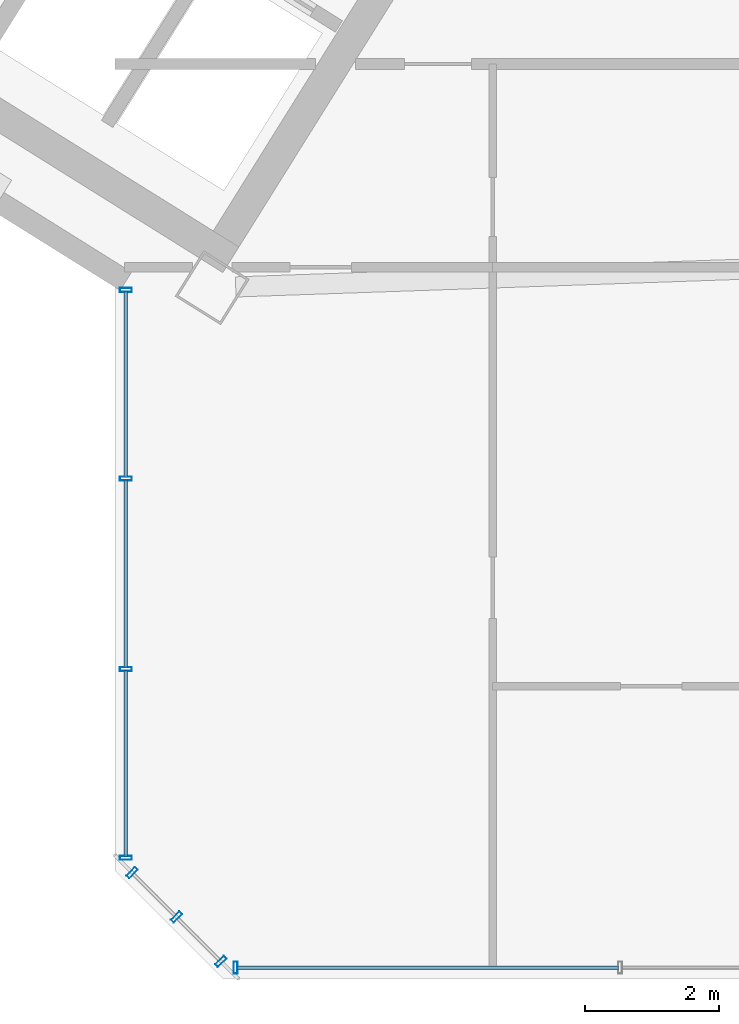
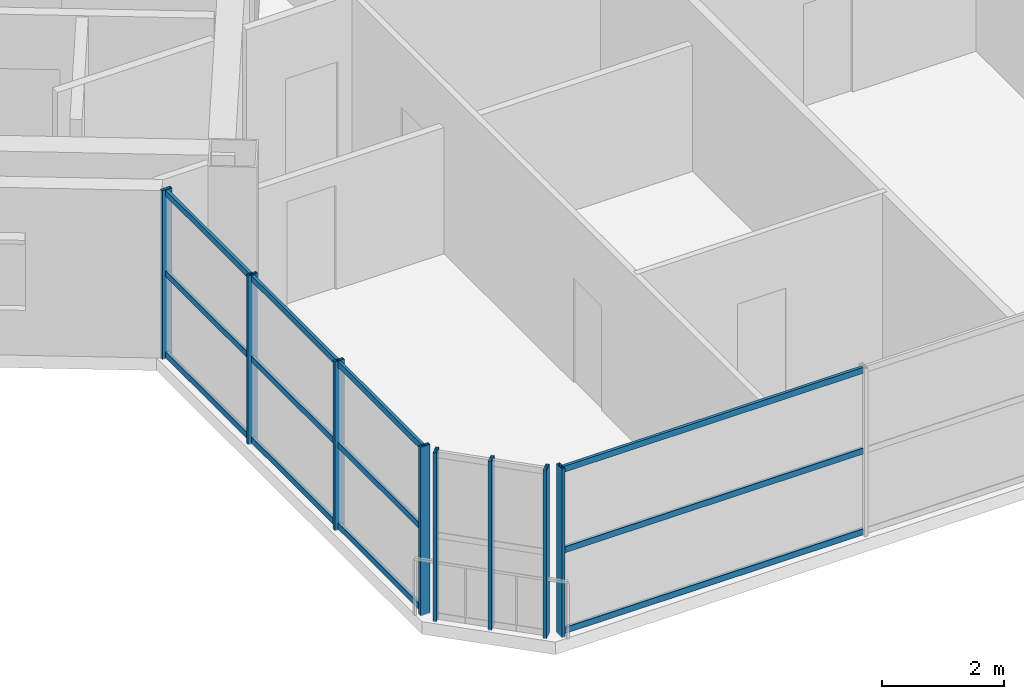
# One storey, part 4 of 23: 20 members, 3 elements without a shape of their own.
"""IFC4 building model written with IfcOpenShell, lengths in metres."""

from ifc_helpers import new_model, si_unit, direction, frame, origin, origin_2d, place, context, subcontext, project, spatial, hollow_rectangle, extrude, source, transform, mapped, material, material_profile, profile_set, type_object, element, aggregate, save


model = new_model("IFC4")

# Units and contexts
model_context = context("Model", 3, precision=1e-05, world=origin(), true_north=direction((0.0, 1.0)))
body_context = subcontext(model_context, "Body", "Model", "MODEL_VIEW")
ifc_project = project(units=[si_unit("LENGTHUNIT", "METRE"), si_unit("AREAUNIT", "SQUARE_METRE"), si_unit("VOLUMEUNIT", "CUBIC_METRE"), si_unit("PLANEANGLEUNIT", "RADIAN"), si_unit("MASSUNIT", "GRAM", prefix="KILO")], contexts=[model_context])

# Site, building, storey
site_placement = place(None, origin())
site = spatial("IfcSite", under=ifc_project, at=site_placement, CompositionType="ELEMENT")
building_placement = place(site_placement, origin())
building = spatial("IfcBuilding", under=site, at=building_placement, Name="Tlacorven Tower", CompositionType="ELEMENT")
storey_placement = place(building_placement, frame((0.0, 0.0, 218.39990234375)))
storey = spatial("IfcBuildingStorey", under=building, at=storey_placement, Name="L55", CompositionType="ELEMENT", Elevation=218.39990234375)

# Curtain wall, member
ifc_material_1 = material(Name="Dark solar low-E double glazing in aluminium frame", Category="aluminium")
curtain_wall_type = type_object("IfcCurtainWallType", Name="CW-TWR-HIGH", PredefinedType="USERDEFINED", material=ifc_material_1)
curtain_wall_1_placement = place(storey_placement, origin())
curtain_wall_1 = element("IfcCurtainWall", 1, at=curtain_wall_1_placement, inside=storey, type_object=curtain_wall_type, Name="L55 CW-TWR-HIGH Curtain Wall 250", ObjectType="UNITISED CURTAIN WALL", PredefinedType="USERDEFINED")
ifc_material_2 = material(Name="Aluminium 6063-T6 anodised", Category="aluminium")
ifc_material_profile_1 = material_profile(ifc_material_2, hollow_rectangle(XDim=0.06005859375, YDim=0.179931640625, WallThickness=0.00390625, at=origin_2d()), Name="ALU MULLION 60X180")
ifc_profile_set_1 = profile_set([ifc_material_profile_1], Name="Aluminium 6063-T6 anodised")
member_type_1 = type_object("IfcMemberType", Name="CWM-03", PredefinedType="MULLION", material=ifc_profile_set_1)
shared_shape_1 = source(origin(), body_context, "Body", "SweptSolid", [
    extrude(hollow_rectangle(XDim=0.06005859375, YDim=0.179931640625, WallThickness=0.00390625, at=origin_2d()), origin(), (0.0, 0.0, 1.0), 3.380126953125),
])
member_1_placement = place(storey_placement, frame((33.396240234375, 1.9599609375, -0.02001953125), z_axis=(0.0, 0.0, 1.0), x_axis=(-1.0, 0.0, 0.0)))
member_1 = element("IfcMember", 2, at=member_1_placement, type_object=member_type_1, Name="CW-L55-250 Mullion 4", PredefinedType="MULLION", context=body_context, shape_type="MappedRepresentation", body=[
    mapped(shared_shape_1, transform((0.0, 0.0, 0.0), scale=1.0)),
])

# Curtain wall, members
curtain_wall_2_placement = place(storey_placement, origin())
curtain_wall_2 = element("IfcCurtainWall", 3, at=curtain_wall_2_placement, inside=storey, type_object=curtain_wall_type, Name="L55 CW-TWR-HIGH Curtain Wall 251", ObjectType="UNITISED CURTAIN WALL", PredefinedType="USERDEFINED")
member_2_placement = place(storey_placement, frame((33.17431640625, 2.052001953125, -0.02001953125), z_axis=(0.0, 0.0, 1.0), x_axis=(-0.707106781187, 0.707106781187, 0.0)))
member_2 = element("IfcMember", 4, at=member_2_placement, type_object=member_type_1, Name="CW-L55-251 Mullion 1", PredefinedType="MULLION", context=body_context, shape_type="MappedRepresentation", body=[
    mapped(shared_shape_1, transform((0.0, 0.0, 0.0), scale=1.0)),
])
member_3_placement = place(storey_placement, frame((32.51318359375, 2.713134765625, -0.02001953125), z_axis=(0.0, 0.0, 1.0), x_axis=(-0.707106781187, 0.707106781187, 0.0)))
member_3 = element("IfcMember", 5, at=member_3_placement, type_object=member_type_1, Name="CW-L55-251 Mullion 2", PredefinedType="MULLION", context=body_context, shape_type="MappedRepresentation", body=[
    mapped(shared_shape_1, transform((0.0, 0.0, 0.0), scale=1.0)),
])
member_4_placement = place(storey_placement, frame((31.851806640625, 3.374267578125, -0.02001953125), z_axis=(0.0, 0.0, 1.0), x_axis=(-0.707106781187, 0.707106781187, 0.0)))
member_4 = element("IfcMember", 6, at=member_4_placement, type_object=member_type_1, Name="CW-L55-251 Mullion 3", PredefinedType="MULLION", context=body_context, shape_type="MappedRepresentation", body=[
    mapped(shared_shape_1, transform((0.0, 0.0, 0.0), scale=1.0)),
])
aggregate(curtain_wall_2, [member_2, member_3, member_4])

curtain_wall_3_placement = place(storey_placement, origin())
curtain_wall_3 = element("IfcCurtainWall", 7, at=curtain_wall_3_placement, inside=storey, type_object=curtain_wall_type, Name="L55 CW-TWR-HIGH Curtain Wall 252", ObjectType="UNITISED CURTAIN WALL", PredefinedType="USERDEFINED")
member_5_placement = place(storey_placement, frame((31.760009765625, 3.59619140625, -0.02001953125), z_axis=(0.0, 0.0, 1.0), x_axis=(0.0, 1.0, 0.0)))
member_5 = element("IfcMember", 8, at=member_5_placement, type_object=member_type_1, Name="CW-L55-252 Mullion 1", PredefinedType="MULLION", context=body_context, shape_type="MappedRepresentation", body=[
    mapped(shared_shape_1, transform((0.0, 0.0, 0.0), scale=1.0)),
])
member_6_placement = place(storey_placement, frame((31.760009765625, 6.4052734375, -0.02001953125), z_axis=(0.0, 0.0, 1.0), x_axis=(0.0, 1.0, 0.0)))
member_6 = element("IfcMember", 9, at=member_6_placement, type_object=member_type_1, Name="CW-L55-252 Mullion 2", PredefinedType="MULLION", context=body_context, shape_type="MappedRepresentation", body=[
    mapped(shared_shape_1, transform((0.0, 0.0, 0.0), scale=1.0)),
])
member_7_placement = place(storey_placement, frame((31.760009765625, 9.244140625, -0.02001953125), z_axis=(0.0, 0.0, 1.0), x_axis=(0.0, 1.0, 0.0)))
member_7 = element("IfcMember", 10, at=member_7_placement, type_object=member_type_1, Name="CW-L55-252 Mullion 3", PredefinedType="MULLION", context=body_context, shape_type="MappedRepresentation", body=[
    mapped(shared_shape_1, transform((0.0, 0.0, 0.0), scale=1.0)),
])
member_8_placement = place(storey_placement, frame((31.760009765625, 12.052978515625, -0.02001953125), z_axis=(0.0, 0.0, 1.0), x_axis=(0.0, 1.0, 0.0)))
member_8 = element("IfcMember", 11, at=member_8_placement, type_object=member_type_1, Name="CW-L55-252 Mullion 4", PredefinedType="MULLION", context=body_context, shape_type="MappedRepresentation", body=[
    mapped(shared_shape_1, transform((0.0, 0.0, 0.0), scale=1.0)),
])

# Member
ifc_material_profile_2 = material_profile(ifc_material_2, hollow_rectangle(XDim=0.054931640625, YDim=0.1201171875, WallThickness=0.00341796875, at=origin_2d()), Name="ALU TRANSOM 55X120")
ifc_profile_set_2 = profile_set([ifc_material_profile_2], Name="Aluminium 6063-T6 anodised")
member_type_2 = type_object("IfcMemberType", Name="CWT-03", PredefinedType="USERDEFINED", material=ifc_profile_set_2)
shared_shape_2 = source(origin(), body_context, "Body", "SweptSolid", [
    extrude(hollow_rectangle(XDim=0.054931640625, YDim=0.1201171875, WallThickness=0.00341796875, at=origin_2d()), origin(), (0.0, 0.0, 1.0), 5.689697265625),
])
member_9_placement = place(storey_placement, frame((39.10400390625, 1.9599609375, 0.06005859375), z_axis=(-1.0, 0.0, 0.0), x_axis=(0.0, -1.0, 0.0)))
member_9 = element("IfcMember", 12, at=member_9_placement, type_object=member_type_2, Name="CW-L55-250 Transom 7", ObjectType="TRANSOM", PredefinedType="USERDEFINED", context=body_context, shape_type="MappedRepresentation", body=[
    mapped(shared_shape_2, transform((0.0, 0.0, 0.0), scale=1.0)),
])

member_10_placement = place(storey_placement, frame((39.10400390625, 1.9599609375, 1.675048828125), z_axis=(-1.0, 0.0, 0.0), x_axis=(0.0, -1.0, 0.0)))
member_10 = element("IfcMember", 13, at=member_10_placement, type_object=member_type_2, Name="CW-L55-250 Transom 8", ObjectType="TRANSOM", PredefinedType="USERDEFINED", context=body_context, shape_type="MappedRepresentation", body=[
    mapped(shared_shape_2, transform((0.0, 0.0, 0.0), scale=1.0)),
])

member_11_placement = place(storey_placement, frame((39.10400390625, 1.9599609375, 3.2900390625), z_axis=(-1.0, 0.0, 0.0), x_axis=(0.0, -1.0, 0.0)))
member_11 = element("IfcMember", 14, at=member_11_placement, type_object=member_type_2, Name="CW-L55-250 Transom 9", ObjectType="TRANSOM", PredefinedType="USERDEFINED", context=body_context, shape_type="MappedRepresentation", body=[
    mapped(shared_shape_2, transform((0.0, 0.0, 0.0), scale=1.0)),
])

aggregate(curtain_wall_1, [member_1, member_9, member_10, member_11])

shared_shape_3 = source(origin(), body_context, "Body", "SweptSolid", [
    extrude(hollow_rectangle(XDim=0.054931640625, YDim=0.1201171875, WallThickness=0.00341796875, at=origin_2d()), origin(), (0.0, 0.0, 1.0), 2.77294921875),
])
member_12_placement = place(storey_placement, frame((31.760009765625, 3.6142578125, 0.06005859375), z_axis=(0.0, 1.0, 0.0), x_axis=(-1.0, 0.0, 0.0)))
member_12 = element("IfcMember", 15, at=member_12_placement, type_object=member_type_2, Name="CW-L55-252 Transom 1", ObjectType="TRANSOM", PredefinedType="USERDEFINED", context=body_context, shape_type="MappedRepresentation", body=[
    mapped(shared_shape_3, transform((0.0, 0.0, 0.0), scale=1.0)),
])

member_13_placement = place(storey_placement, frame((31.760009765625, 3.6142578125, 1.675048828125), z_axis=(0.0, 1.0, 0.0), x_axis=(-1.0, 0.0, 0.0)))
member_13 = element("IfcMember", 16, at=member_13_placement, type_object=member_type_2, Name="CW-L55-252 Transom 2", ObjectType="TRANSOM", PredefinedType="USERDEFINED", context=body_context, shape_type="MappedRepresentation", body=[
    mapped(shared_shape_3, transform((0.0, 0.0, 0.0), scale=1.0)),
])

member_14_placement = place(storey_placement, frame((31.760009765625, 3.6142578125, 3.2900390625), z_axis=(0.0, 1.0, 0.0), x_axis=(-1.0, 0.0, 0.0)))
member_14 = element("IfcMember", 17, at=member_14_placement, type_object=member_type_2, Name="CW-L55-252 Transom 3", ObjectType="TRANSOM", PredefinedType="USERDEFINED", context=body_context, shape_type="MappedRepresentation", body=[
    mapped(shared_shape_3, transform((0.0, 0.0, 0.0), scale=1.0)),
])

member_15_placement = place(storey_placement, frame((31.760009765625, 9.26220703125, 0.06005859375), z_axis=(0.0, 1.0, 0.0), x_axis=(-1.0, 0.0, 0.0)))
member_15 = element("IfcMember", 18, at=member_15_placement, type_object=member_type_2, Name="CW-L55-252 Transom 7", ObjectType="TRANSOM", PredefinedType="USERDEFINED", context=body_context, shape_type="MappedRepresentation", body=[
    mapped(shared_shape_3, transform((0.0, 0.0, 0.0), scale=1.0)),
])

member_16_placement = place(storey_placement, frame((31.760009765625, 9.26220703125, 1.675048828125), z_axis=(0.0, 1.0, 0.0), x_axis=(-1.0, 0.0, 0.0)))
member_16 = element("IfcMember", 19, at=member_16_placement, type_object=member_type_2, Name="CW-L55-252 Transom 8", ObjectType="TRANSOM", PredefinedType="USERDEFINED", context=body_context, shape_type="MappedRepresentation", body=[
    mapped(shared_shape_3, transform((0.0, 0.0, 0.0), scale=1.0)),
])

member_17_placement = place(storey_placement, frame((31.760009765625, 9.26220703125, 3.2900390625), z_axis=(0.0, 1.0, 0.0), x_axis=(-1.0, 0.0, 0.0)))
member_17 = element("IfcMember", 20, at=member_17_placement, type_object=member_type_2, Name="CW-L55-252 Transom 9", ObjectType="TRANSOM", PredefinedType="USERDEFINED", context=body_context, shape_type="MappedRepresentation", body=[
    mapped(shared_shape_3, transform((0.0, 0.0, 0.0), scale=1.0)),
])

shared_shape_4 = source(origin(), body_context, "Body", "SweptSolid", [
    extrude(hollow_rectangle(XDim=0.054931640625, YDim=0.1201171875, WallThickness=0.00341796875, at=origin_2d()), origin(), (0.0, 0.0, 1.0), 2.802978515625),
])
member_18_placement = place(storey_placement, frame((31.760009765625, 6.423095703125, 0.06005859375), z_axis=(0.0, 1.0, 0.0), x_axis=(-1.0, 0.0, 0.0)))
member_18 = element("IfcMember", 21, at=member_18_placement, type_object=member_type_2, Name="CW-L55-252 Transom 4", ObjectType="TRANSOM", PredefinedType="USERDEFINED", context=body_context, shape_type="MappedRepresentation", body=[
    mapped(shared_shape_4, transform((0.0, 0.0, 0.0), scale=1.0)),
])

member_19_placement = place(storey_placement, frame((31.760009765625, 6.423095703125, 1.675048828125), z_axis=(0.0, 1.0, 0.0), x_axis=(-1.0, 0.0, 0.0)))
member_19 = element("IfcMember", 22, at=member_19_placement, type_object=member_type_2, Name="CW-L55-252 Transom 5", ObjectType="TRANSOM", PredefinedType="USERDEFINED", context=body_context, shape_type="MappedRepresentation", body=[
    mapped(shared_shape_4, transform((0.0, 0.0, 0.0), scale=1.0)),
])

member_20_placement = place(storey_placement, frame((31.760009765625, 6.423095703125, 3.2900390625), z_axis=(0.0, 1.0, 0.0), x_axis=(-1.0, 0.0, 0.0)))
member_20 = element("IfcMember", 23, at=member_20_placement, type_object=member_type_2, Name="CW-L55-252 Transom 6", ObjectType="TRANSOM", PredefinedType="USERDEFINED", context=body_context, shape_type="MappedRepresentation", body=[
    mapped(shared_shape_4, transform((0.0, 0.0, 0.0), scale=1.0)),
])

aggregate(curtain_wall_3, [member_5, member_6, member_7, member_8, member_12, member_13, member_14, member_18, member_19, member_20, member_15, member_16, member_17])

save(model, "model.ifc")
